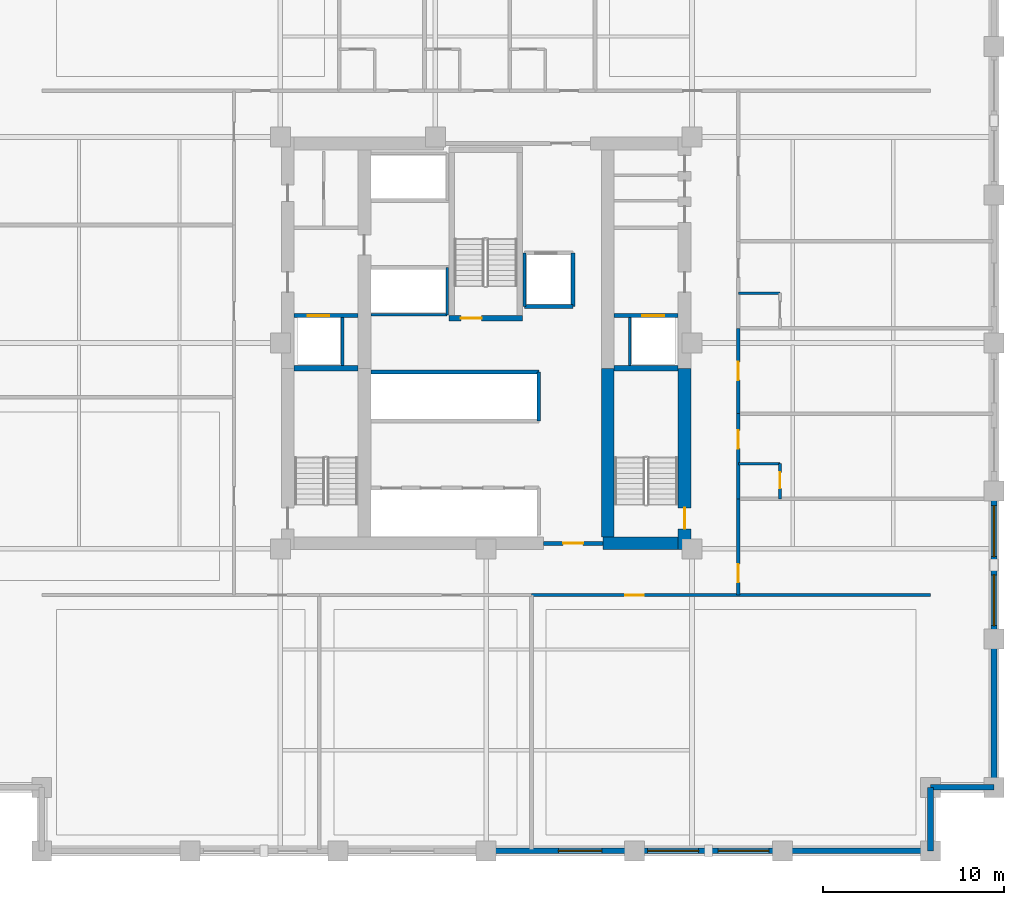
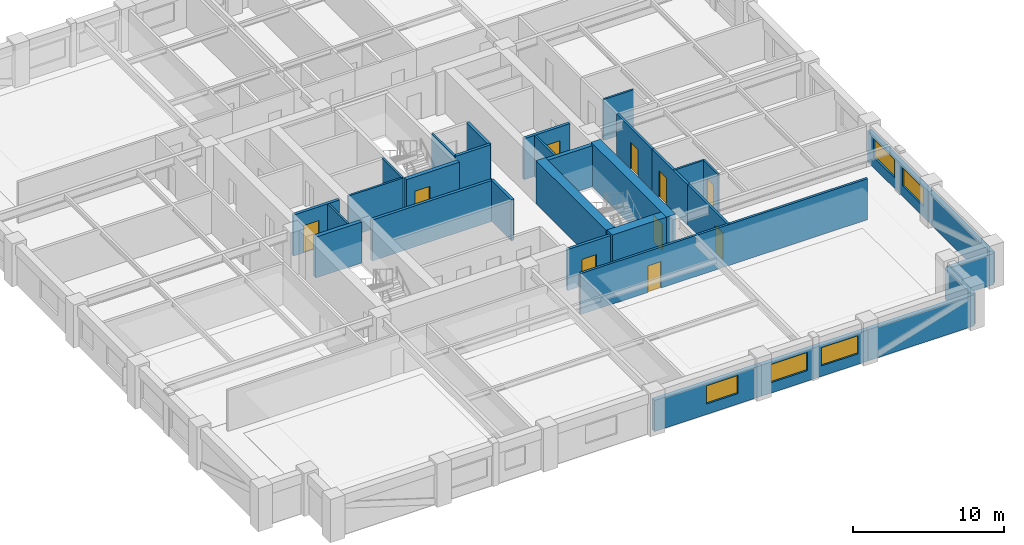
# One storey, part 4 of 12: 32 walls, 10 doors, 5 windows, 15 openings.
"""IFC4 building model written with IfcOpenShell, lengths in metres."""

from ifc_helpers import new_model, si_unit, direction, frame, frame_2d, origin, place, context, subcontext, project, spatial, rectangle, extrude, material, layer, layer_set, type_object, element, fill, save


model = new_model("IFC4")

# Units and contexts
model_context = context("Model", 3, precision=1e-05, world=origin(), true_north=direction((0.0, 1.0)))
body_context = subcontext(model_context, "Body", "Model", "MODEL_VIEW")
ifc_project = project(units=[si_unit("LENGTHUNIT", "METRE"), si_unit("AREAUNIT", "SQUARE_METRE"), si_unit("VOLUMEUNIT", "CUBIC_METRE"), si_unit("PLANEANGLEUNIT", "RADIAN"), si_unit("MASSUNIT", "GRAM", prefix="KILO")], contexts=[model_context])

# Site, building, storey
site_placement = place(None, origin())
site = spatial("IfcSite", under=ifc_project, at=site_placement, CompositionType="ELEMENT")
building_placement = place(site_placement, origin())
building = spatial("IfcBuilding", under=site, at=building_placement, Name="Nhamokura Convention Tower", CompositionType="ELEMENT")
storey_placement = place(building_placement, frame((0.0, 0.0, 49.35009765625)))
storey = spatial("IfcBuildingStorey", under=building, at=storey_placement, Name="L10", CompositionType="ELEMENT", Elevation=49.35009765625)

# Wall
ifc_material_1 = material(Name="Moisture-resistant tile-backer partition", Category="masonry")
ifc_layer_1 = layer(ifc_material_1, 0.139892578125)
ifc_layer_set_1 = layer_set([ifc_layer_1], Name="BathroomWetWall_140")
wall_type_1 = type_object("IfcWallType", Name="BathroomWetWall_140", PredefinedType="STANDARD", material=ifc_layer_set_1)
wall_1_placement = place(storey_placement, frame((45.89990234375, 25.35009765625, 0.0), z_axis=(0.0, 0.0, 1.0), x_axis=(1.0, 0.0, 0.0)))
element("IfcWall", 1, at=wall_1_placement, inside=storey, type_object=wall_type_1, Name="L10 Wall INT-L10-BW-E01N", PredefinedType="STANDARD", context=body_context, shape_type="SweptSolid", body=[
    extrude(rectangle(XDim=2.300048828125, YDim=0.139892578125, at=frame_2d((1.14990234375, 0.0))), origin(), (0.0, 0.0, 1.0), 3.31982421875),
])

# Wall, opening, door
wall_2_placement = place(storey_placement, frame((48.199951171875, 23.39990234375, 0.0), z_axis=(0.0, 0.0, 1.0), x_axis=(0.0, 1.0, 0.0)))
wall_2 = element("IfcWall", 2, at=wall_2_placement, inside=storey, type_object=wall_type_1, Name="L10 Wall INT-L10-BW-E01E", PredefinedType="STANDARD", context=body_context, shape_type="SweptSolid", body=[
    extrude(rectangle(XDim=1.9501953125, YDim=0.139892578125, at=frame_2d((0.97509765625, 0.0))), origin(), (0.0, 0.0, 1.0), 3.31982421875),
])
opening_1_placement = place(wall_2_placement, frame((0.580078125, 0.0, 0.0)))
opening_1 = element("IfcOpeningElement", 3, at=opening_1_placement, cuts=wall_2, Name="Opening D-11", PredefinedType="OPENING", context=body_context, shape_type="SweptSolid", body=[
    extrude(rectangle(XDim=0.8798828125, YDim=2.10009765625, at=frame_2d((0.43994140625, 1.050048828125))), frame((0.0, 0.079833984375, 0.0), z_axis=(0.0, -1.0, 0.0), x_axis=(1.0, 0.0, 0.0)), (0.0, 0.0, 1.0), 0.159912109375),
])
ifc_material_2 = material(Name="Solid oak hardwood", Category="wood")
door_type_1 = type_object("IfcDoorType", Name="BathroomDoor_880", OperationType="NOTDEFINED", PredefinedType="DOOR", material=ifc_material_2)
door_1_placement = place(opening_1_placement, origin())
door_1 = element("IfcDoor", 4, at=door_1_placement, inside=storey, type_object=door_type_1, Name="L10 Corner Suite En-suite Door", OperationType="SINGLE_SWING_LEFT", OverallHeight=2.10009765625, OverallWidth=0.8798828125, PredefinedType="DOOR", context=body_context, shape_type="SweptSolid", body=[
    extrude(rectangle(XDim=0.8798828125, YDim=2.10009765625, at=frame_2d((0.43994140625, 1.050048828125))), frame((0.0, 0.02490234375, 0.0), z_axis=(0.0, -1.0, 0.0), x_axis=(1.0, 0.0, 0.0)), (0.0, 0.0, 1.0), 0.050048828125),
])
fill(opening_1, door_1)

# Wall
wall_3_placement = place(storey_placement, frame((45.89990234375, 34.75, 0.0), z_axis=(0.0, 0.0, 1.0), x_axis=(1.0, 0.0, 0.0)))
element("IfcWall", 5, at=wall_3_placement, inside=storey, type_object=wall_type_1, Name="L10 Wall INT-L10-BW-E03N", PredefinedType="STANDARD", context=body_context, shape_type="SweptSolid", body=[
    extrude(rectangle(XDim=2.300048828125, YDim=0.139892578125, at=frame_2d((1.14990234375, 0.0))), origin(), (0.0, 0.0, 1.0), 3.31982421875),
])

# Wall, opening, window
ifc_material_3 = material(Name="Bronze-pigmented precast concrete C45/55", Category="concrete")
ifc_layer_2 = layer(ifc_material_3, 0.320068359375)
ifc_layer_set_2 = layer_set([ifc_layer_2], Name="BronzePrecastSpandrel_320")
wall_type_2 = type_object("IfcWallType", Name="BronzePrecastSpandrel_320", PredefinedType="USERDEFINED", material=ifc_layer_set_2)
wall_4_placement = place(storey_placement, frame((40.166748046875, 4.0, 0.0), z_axis=(0.0, 0.0, 1.0), x_axis=(-1.0, 0.0, 0.0)))
wall_4 = element("IfcWall", 6, at=wall_4_placement, inside=storey, type_object=wall_type_2, Name="L10 Masonry-Frame Wall SOUTH 3", ObjectType="SPANDREL_WALL", PredefinedType="USERDEFINED", context=body_context, shape_type="SweptSolid", body=[
    extrude(rectangle(XDim=8.166748046875, YDim=0.320068359375, at=frame_2d((4.08349609375, 0.0))), origin(), (0.0, 0.0, 1.0), 2.52001953125),
])
opening_2_placement = place(wall_4_placement, frame((1.783203125, 0.0, 0.85009765625)))
opening_2 = element("IfcOpeningElement", 7, at=opening_2_placement, cuts=wall_4, Name="Opening W-03", PredefinedType="OPENING", context=body_context, shape_type="SweptSolid", body=[
    extrude(rectangle(XDim=2.39990234375, YDim=1.469970703125, at=frame_2d((1.199951171875, 0.73486328125))), frame((0.0, 0.169921875, 0.0), z_axis=(0.0, -1.0, 0.0), x_axis=(1.0, 0.0, 0.0)), (0.0, 0.0, 1.0), 0.340087890625),
])
ifc_material_4 = material(Name="Solar-control bronze low-E double glass", Category="glass")
window_type_1 = type_object("IfcWindowType", Name="HotelBayWindow_2400", PartitioningType="DOUBLE_PANEL_VERTICAL", PredefinedType="WINDOW", material=ifc_material_4)
window_1_placement = place(opening_2_placement, origin())
window_1 = element("IfcWindow", 8, at=window_1_placement, inside=storey, type_object=window_type_1, Name="L10 Facade Window SOUTH 3-1", OverallHeight=1.469970703125, OverallWidth=2.39990234375, PartitioningType="SINGLE_PANEL", PredefinedType="WINDOW", context=body_context, shape_type="SweptSolid", body=[
    extrude(rectangle(XDim=2.39990234375, YDim=1.469970703125, at=frame_2d((1.199951171875, 0.73486328125))), frame((0.0, 0.030029296875, 0.0), z_axis=(0.0, -1.0, 0.0), x_axis=(1.0, 0.0, 0.0)), (0.0, 0.0, 1.0), 0.06005859375),
])
fill(opening_2, window_1)

# Wall, openings, windows
wall_5_placement = place(storey_placement, frame((48.333251953125, 4.0, 0.0), z_axis=(0.0, 0.0, 1.0), x_axis=(-1.0, 0.0, 0.0)))
wall_5 = element("IfcWall", 9, at=wall_5_placement, inside=storey, type_object=wall_type_2, Name="L10 Masonry-Frame Wall SOUTH 4", ObjectType="SPANDREL_WALL", PredefinedType="USERDEFINED", context=body_context, shape_type="SweptSolid", body=[
    extrude(rectangle(XDim=8.16650390625, YDim=0.320068359375, at=frame_2d((4.083251953125, 0.0))), origin(), (0.0, 0.0, 1.0), 2.52001953125),
])
opening_3_placement = place(wall_5_placement, frame((0.74169921875, 0.0, 0.85009765625)))
opening_3 = element("IfcOpeningElement", 10, at=opening_3_placement, cuts=wall_5, Name="Opening W-04", PredefinedType="OPENING", context=body_context, shape_type="SweptSolid", body=[
    extrude(rectangle(XDim=2.800048828125, YDim=1.469970703125, at=frame_2d((1.39990234375, 0.73486328125))), frame((0.0, 0.169921875, 0.0), z_axis=(0.0, -1.0, 0.0), x_axis=(1.0, 0.0, 0.0)), (0.0, 0.0, 1.0), 0.340087890625),
])
opening_4_placement = place(wall_5_placement, frame((4.625, 0.0, 0.85009765625)))
opening_4 = element("IfcOpeningElement", 11, at=opening_4_placement, cuts=wall_5, Name="Opening W-04", PredefinedType="OPENING", context=body_context, shape_type="SweptSolid", body=[
    extrude(rectangle(XDim=2.800048828125, YDim=1.469970703125, at=frame_2d((1.39990234375, 0.73486328125))), frame((0.0, 0.169921875, 0.0), z_axis=(0.0, -1.0, 0.0), x_axis=(1.0, 0.0, 0.0)), (0.0, 0.0, 1.0), 0.340087890625),
])
ifc_material_5 = material(Name="Solar-control bronze low-E double glass", Category="glass")
window_type_2 = type_object("IfcWindowType", Name="HotelSuiteWindow_2800", PartitioningType="DOUBLE_PANEL_VERTICAL", PredefinedType="WINDOW", material=ifc_material_5)
window_2_placement = place(opening_3_placement, origin())
window_2 = element("IfcWindow", 12, at=window_2_placement, inside=storey, type_object=window_type_2, Name="L10 Facade Window SOUTH 4-1", OverallHeight=1.469970703125, OverallWidth=2.800048828125, PartitioningType="SINGLE_PANEL", PredefinedType="WINDOW", context=body_context, shape_type="SweptSolid", body=[
    extrude(rectangle(XDim=2.800048828125, YDim=1.469970703125, at=frame_2d((1.39990234375, 0.73486328125))), frame((0.0, 0.030029296875, 0.0), z_axis=(0.0, -1.0, 0.0), x_axis=(1.0, 0.0, 0.0)), (0.0, 0.0, 1.0), 0.06005859375),
])
fill(opening_3, window_2)
window_3_placement = place(opening_4_placement, origin())
window_3 = element("IfcWindow", 13, at=window_3_placement, inside=storey, type_object=window_type_2, Name="L10 Facade Window SOUTH 4-2", OverallHeight=1.469970703125, OverallWidth=2.800048828125, PartitioningType="SINGLE_PANEL", PredefinedType="WINDOW", context=body_context, shape_type="SweptSolid", body=[
    extrude(rectangle(XDim=2.800048828125, YDim=1.469970703125, at=frame_2d((1.39990234375, 0.73486328125))), frame((0.0, 0.030029296875, 0.0), z_axis=(0.0, -1.0, 0.0), x_axis=(1.0, 0.0, 0.0)), (0.0, 0.0, 1.0), 0.06005859375),
])
fill(opening_4, window_3)

# Walls
for number, where, z_axis, x_axis, name in (
    (14, (56.5, 4.0, 0.0), (0.0, 0.0, 1.0), (-1.0, 0.0, 0.0), "L10 Braced-Bay Precast Wall SOUTH 5"),
    (15, (60.0, 15.666748046875, 0.0), (0.0, 0.0, 1.0), (0.0, -1.0, 0.0), "L10 Braced-Bay Precast Wall EAST 0"),
):
    element("IfcWall", number, at=place(storey_placement, frame(where, z_axis=z_axis, x_axis=x_axis)), inside=storey, type_object=wall_type_2, Name=name, ObjectType="SPANDREL_WALL", PredefinedType="USERDEFINED", context=body_context, shape_type="SweptSolid", body=[
        extrude(rectangle(XDim=8.166748046875, YDim=0.320068359375, at=frame_2d((4.08349609375, 0.0))), origin(), (0.0, 0.0, 1.0), 2.52001953125),
    ])

# Wall, openings, windows
wall_6_placement = place(storey_placement, frame((60.0, 23.833251953125, 0.0), z_axis=(0.0, 0.0, 1.0), x_axis=(0.0, -1.0, 0.0)))
wall_6 = element("IfcWall", 16, at=wall_6_placement, inside=storey, type_object=wall_type_2, Name="L10 Masonry-Frame Wall EAST 1", ObjectType="SPANDREL_WALL", PredefinedType="USERDEFINED", context=body_context, shape_type="SweptSolid", body=[
    extrude(rectangle(XDim=8.16650390625, YDim=0.320068359375, at=frame_2d((4.083251953125, 0.0))), origin(), (0.0, 0.0, 1.0), 2.52001953125),
])
opening_5_placement = place(wall_6_placement, frame((0.808349609375, 0.0, 0.85009765625)))
opening_5 = element("IfcOpeningElement", 17, at=opening_5_placement, cuts=wall_6, Name="Opening W-04", PredefinedType="OPENING", context=body_context, shape_type="SweptSolid", body=[
    extrude(rectangle(XDim=2.800048828125, YDim=1.469970703125, at=frame_2d((1.39990234375, 0.73486328125))), frame((0.0, 0.169921875, 0.0), z_axis=(0.0, -1.0, 0.0), x_axis=(1.0, 0.0, 0.0)), (0.0, 0.0, 1.0), 0.340087890625),
])
opening_6_placement = place(wall_6_placement, frame((4.625, 0.0, 0.85009765625)))
opening_6 = element("IfcOpeningElement", 18, at=opening_6_placement, cuts=wall_6, Name="Opening W-04", PredefinedType="OPENING", context=body_context, shape_type="SweptSolid", body=[
    extrude(rectangle(XDim=2.800048828125, YDim=1.469970703125, at=frame_2d((1.39990234375, 0.73486328125))), frame((0.0, 0.169921875, 0.0), z_axis=(0.0, -1.0, 0.0), x_axis=(1.0, 0.0, 0.0)), (0.0, 0.0, 1.0), 0.340087890625),
])
window_4_placement = place(opening_5_placement, origin())
window_4 = element("IfcWindow", 19, at=window_4_placement, inside=storey, type_object=window_type_2, Name="L10 Facade Window EAST 1-1", OverallHeight=1.469970703125, OverallWidth=2.800048828125, PartitioningType="SINGLE_PANEL", PredefinedType="WINDOW", context=body_context, shape_type="SweptSolid", body=[
    extrude(rectangle(XDim=2.800048828125, YDim=1.469970703125, at=frame_2d((1.39990234375, 0.73486328125))), frame((0.0, 0.030029296875, 0.0), z_axis=(0.0, -1.0, 0.0), x_axis=(1.0, 0.0, 0.0)), (0.0, 0.0, 1.0), 0.06005859375),
])
fill(opening_5, window_4)
window_5_placement = place(opening_6_placement, origin())
window_5 = element("IfcWindow", 20, at=window_5_placement, inside=storey, type_object=window_type_2, Name="L10 Facade Window EAST 1-2", OverallHeight=1.469970703125, OverallWidth=2.800048828125, PartitioningType="SINGLE_PANEL", PredefinedType="WINDOW", context=body_context, shape_type="SweptSolid", body=[
    extrude(rectangle(XDim=2.800048828125, YDim=1.469970703125, at=frame_2d((1.39990234375, 0.73486328125))), frame((0.0, 0.030029296875, 0.0), z_axis=(0.0, -1.0, 0.0), x_axis=(1.0, 0.0, 0.0)), (0.0, 0.0, 1.0), 0.06005859375),
])
fill(opening_6, window_5)

# Walls
for number, where, z_axis, x_axis, name in (
    (21, (56.5, 7.5, 0.0), (0.0, 0.0, 1.0), (0.0, -1.0, 0.0), "L10 Notched Corner Wall SE1"),
    (22, (60.0, 7.5, 0.0), (0.0, 0.0, 1.0), (-1.0, 0.0, 0.0), "L10 Notched Corner Wall SE2"),
):
    element("IfcWall", number, at=place(storey_placement, frame(where, z_axis=z_axis, x_axis=x_axis)), inside=storey, type_object=wall_type_2, Name=name, ObjectType="SPANDREL_WALL", PredefinedType="USERDEFINED", context=body_context, shape_type="SweptSolid", body=[
        extrude(rectangle(XDim=3.5, YDim=0.320068359375, at=frame_2d((1.75, 0.0))), origin(), (0.0, 0.0, 1.0), 2.52001953125),
    ])

# Wall, opening, door
ifc_material_6 = material(Name="Concrete C70/85", Category="concrete")
ifc_layer_3 = layer(ifc_material_6, 0.699951171875)
ifc_layer_set_3 = layer_set([ifc_layer_3], Name="CoreShearWall_700")
wall_type_3 = type_object("IfcWallType", Name="CoreShearWall_700", PredefinedType="SHEAR", material=ifc_layer_set_3)
wall_7_placement = place(storey_placement, frame((42.93994140625, 20.60009765625, 0.0), z_axis=(0.0, 0.0, 1.0), x_axis=(0.0, 1.0, 0.0)))
wall_7 = element("IfcWall", 23, at=wall_7_placement, inside=storey, type_object=wall_type_3, Name="L10 Core Shear Wall CW-ES", PredefinedType="SHEAR", context=body_context, shape_type="SweptSolid", body=[
    extrude(rectangle(XDim=10.0, YDim=0.699951171875, at=frame_2d((5.0, 0.0))), origin(), (0.0, 0.0, 1.0), 3.5),
])
opening_7_placement = place(wall_7_placement, frame((1.14990234375, 0.0, 0.0)))
opening_7 = element("IfcOpeningElement", 24, at=opening_7_placement, cuts=wall_7, Name="Opening D-04", PredefinedType="OPENING", context=body_context, shape_type="SweptSolid", body=[
    extrude(rectangle(XDim=1.14990234375, YDim=2.14990234375, at=frame_2d((0.574951171875, 1.074951171875))), frame((0.0, 0.35986328125, 0.0), z_axis=(0.0, -1.0, 0.0), x_axis=(1.0, 0.0, 0.0)), (0.0, 0.0, 1.0), 0.719970703125),
])
ifc_material_7 = material(Name="Fire-rated steel door", Category="steel")
door_type_2 = type_object("IfcDoorType", Name="StairSmokeDoor_1150", OperationType="NOTDEFINED", PredefinedType="DOOR", material=ifc_material_7)
door_2_placement = place(opening_7_placement, origin())
door_2 = element("IfcDoor", 25, at=door_2_placement, inside=storey, type_object=door_type_2, Name="L10 Core Door INT-L10-D-ST02", OperationType="SINGLE_SWING_RIGHT", OverallHeight=2.14990234375, OverallWidth=1.14990234375, PredefinedType="DOOR", context=body_context, shape_type="SweptSolid", body=[
    extrude(rectangle(XDim=1.14990234375, YDim=2.14990234375, at=frame_2d((0.574951171875, 1.074951171875))), frame((0.0, 0.02490234375, 0.0), z_axis=(0.0, -1.0, 0.0), x_axis=(1.0, 0.0, 0.0)), (0.0, 0.0, 1.0), 0.050048828125),
])
fill(opening_7, door_2)

# Walls
wall_8_placement = place(storey_placement, frame((38.449951171875, 20.949951171875, 0.0), z_axis=(0.0, 0.0, 1.0), x_axis=(1.0, 0.0, 0.0)))
element("IfcWall", 26, at=wall_8_placement, inside=storey, type_object=wall_type_3, Name="L10 Core Shear Wall CW-S2", PredefinedType="SHEAR", context=body_context, shape_type="SweptSolid", body=[
    extrude(rectangle(XDim=4.14013671875, YDim=0.699951171875, at=frame_2d((2.070068359375, 0.0))), origin(), (0.0, 0.0, 1.0), 3.5),
])
wall_9_placement = place(storey_placement, frame((38.7099609375, 21.300048828125, 0.0), z_axis=(0.0, 0.0, 1.0), x_axis=(0.0, 1.0, 0.0)))
element("IfcWall", 27, at=wall_9_placement, inside=storey, type_object=wall_type_3, Name="L10 Core Shear Wall CW-IES", PredefinedType="SHEAR", context=body_context, shape_type="SweptSolid", body=[
    extrude(rectangle(XDim=9.300048828125, YDim=0.699951171875, at=frame_2d((4.64990234375, 0.0))), origin(), (0.0, 0.0, 1.0), 3.5),
])

# Wall, opening, door
ifc_material_8 = material(Name="Fire-rated gypsum and masonry partition", Category="masonry")
ifc_layer_4 = layer(ifc_material_8, 0.179931640625)
ifc_layer_set_4 = layer_set([ifc_layer_4], Name="CorridorRatedWall_180")
wall_type_4 = type_object("IfcWallType", Name="CorridorRatedWall_180", PredefinedType="STANDARD", material=ifc_layer_set_4)
wall_10_placement = place(storey_placement, frame((34.5, 18.10009765625, 0.0), z_axis=(0.0, 0.0, 1.0), x_axis=(1.0, 0.0, 0.0)))
wall_10 = element("IfcWall", 28, at=wall_10_placement, inside=storey, type_object=wall_type_4, Name="L10 Wall INT-L10-CW-S02", PredefinedType="STANDARD", context=body_context, shape_type="SweptSolid", body=[
    extrude(rectangle(XDim=22.0, YDim=0.179931640625, at=frame_2d((11.0, 0.0))), origin(), (0.0, 0.0, 1.0), 3.31982421875),
])
opening_8_placement = place(wall_10_placement, frame((5.175048828125, 0.0, 0.0)))
opening_8 = element("IfcOpeningElement", 29, at=opening_8_placement, cuts=wall_10, Name="Opening D-07", PredefinedType="OPENING", context=body_context, shape_type="SweptSolid", body=[
    extrude(rectangle(XDim=1.0, YDim=2.14990234375, at=frame_2d((0.5, 1.074951171875))), frame((0.0, 0.099853515625, 0.0), z_axis=(0.0, -1.0, 0.0), x_axis=(1.0, 0.0, 0.0)), (0.0, 0.0, 1.0), 0.199951171875),
])
ifc_material_9 = material(Name="Solid oak hardwood", Category="wood")
door_type_3 = type_object("IfcDoorType", Name="HotelSuiteEntryDoor_1000", OperationType="NOTDEFINED", PredefinedType="DOOR", material=ifc_material_9)
door_3_placement = place(opening_8_placement, origin())
door_3 = element("IfcDoor", 30, at=door_3_placement, inside=storey, type_object=door_type_3, Name="L10 Conference Salon S03 Door", OperationType="SINGLE_SWING_LEFT", OverallHeight=2.14990234375, OverallWidth=1.0, PredefinedType="DOOR", context=body_context, shape_type="SweptSolid", body=[
    extrude(rectangle(XDim=1.0, YDim=2.14990234375, at=frame_2d((0.5, 1.074951171875))), frame((0.0, 0.02490234375, 0.0), z_axis=(0.0, -1.0, 0.0), x_axis=(1.0, 0.0, 0.0)), (0.0, 0.0, 1.0), 0.050048828125),
])
fill(opening_8, door_3)

wall_11_placement = place(storey_placement, frame((45.89990234375, 18.10009765625, 0.0), z_axis=(0.0, 0.0, 1.0), x_axis=(0.0, 1.0, 0.0)))
wall_11 = element("IfcWall", 31, at=wall_11_placement, inside=storey, type_object=wall_type_4, Name="L10 Wall INT-L10-CW-E00", PredefinedType="STANDARD", context=body_context, shape_type="SweptSolid", body=[
    extrude(rectangle(XDim=5.2998046875, YDim=0.179931640625, at=frame_2d((2.64990234375, 0.0))), origin(), (0.0, 0.0, 1.0), 3.31982421875),
])
opening_9_placement = place(wall_11_placement, frame((0.699951171875, 0.0, 0.0)))
opening_9 = element("IfcOpeningElement", 32, at=opening_9_placement, cuts=wall_11, Name="Opening D-07", PredefinedType="OPENING", context=body_context, shape_type="SweptSolid", body=[
    extrude(rectangle(XDim=1.0, YDim=2.14990234375, at=frame_2d((0.5, 1.074951171875))), frame((0.0, 0.099853515625, 0.0), z_axis=(0.0, -1.0, 0.0), x_axis=(1.0, 0.0, 0.0)), (0.0, 0.0, 1.0), 0.199951171875),
])
door_4_placement = place(opening_9_placement, origin())
door_4 = element("IfcDoor", 33, at=door_4_placement, inside=storey, type_object=door_type_3, Name="L10 Conference Salon E01 Door", OperationType="SINGLE_SWING_LEFT", OverallHeight=2.14990234375, OverallWidth=1.0, PredefinedType="DOOR", context=body_context, shape_type="SweptSolid", body=[
    extrude(rectangle(XDim=1.0, YDim=2.14990234375, at=frame_2d((0.5, 1.074951171875))), frame((0.0, 0.02490234375, 0.0), z_axis=(0.0, -1.0, 0.0), x_axis=(1.0, 0.0, 0.0)), (0.0, 0.0, 1.0), 0.050048828125),
])
fill(opening_9, door_4)

wall_12_placement = place(storey_placement, frame((45.89990234375, 23.39990234375, 0.0), z_axis=(0.0, 0.0, 1.0), x_axis=(0.0, 1.0, 0.0)))
wall_12 = element("IfcWall", 34, at=wall_12_placement, inside=storey, type_object=wall_type_4, Name="L10 Wall INT-L10-CW-E01", PredefinedType="STANDARD", context=body_context, shape_type="SweptSolid", body=[
    extrude(rectangle(XDim=4.7001953125, YDim=0.179931640625, at=frame_2d((2.35009765625, 0.0))), origin(), (0.0, 0.0, 1.0), 3.31982421875),
])
opening_10_placement = place(wall_12_placement, frame((2.77490234375, 0.0, 0.0)))
opening_10 = element("IfcOpeningElement", 35, at=opening_10_placement, cuts=wall_12, Name="Opening D-07", PredefinedType="OPENING", context=body_context, shape_type="SweptSolid", body=[
    extrude(rectangle(XDim=1.0, YDim=2.14990234375, at=frame_2d((0.5, 1.074951171875))), frame((0.0, 0.099853515625, 0.0), z_axis=(0.0, -1.0, 0.0), x_axis=(1.0, 0.0, 0.0)), (0.0, 0.0, 1.0), 0.199951171875),
])
door_5_placement = place(opening_10_placement, origin())
door_5 = element("IfcDoor", 36, at=door_5_placement, inside=storey, type_object=door_type_3, Name="L10 Corner Suite E02 Door", OperationType="SINGLE_SWING_RIGHT", OverallHeight=2.14990234375, OverallWidth=1.0, PredefinedType="DOOR", context=body_context, shape_type="SweptSolid", body=[
    extrude(rectangle(XDim=1.0, YDim=2.14990234375, at=frame_2d((0.5, 1.074951171875))), frame((0.0, 0.02490234375, 0.0), z_axis=(0.0, -1.0, 0.0), x_axis=(1.0, 0.0, 0.0)), (0.0, 0.0, 1.0), 0.050048828125),
])
fill(opening_10, door_5)

wall_13_placement = place(storey_placement, frame((45.89990234375, 28.10009765625, 0.0), z_axis=(0.0, 0.0, 1.0), x_axis=(0.0, 1.0, 0.0)))
wall_13 = element("IfcWall", 37, at=wall_13_placement, inside=storey, type_object=wall_type_4, Name="L10 Wall INT-L10-CW-E02", PredefinedType="STANDARD", context=body_context, shape_type="SweptSolid", body=[
    extrude(rectangle(XDim=4.699951171875, YDim=0.179931640625, at=frame_2d((2.35009765625, 0.0))), origin(), (0.0, 0.0, 1.0), 3.31982421875),
])
opening_11_placement = place(wall_13_placement, frame((1.85009765625, 0.0, 0.0)))
opening_11 = element("IfcOpeningElement", 38, at=opening_11_placement, cuts=wall_13, Name="Opening D-07", PredefinedType="OPENING", context=body_context, shape_type="SweptSolid", body=[
    extrude(rectangle(XDim=1.0, YDim=2.14990234375, at=frame_2d((0.5, 1.074951171875))), frame((0.0, 0.099853515625, 0.0), z_axis=(0.0, -1.0, 0.0), x_axis=(1.0, 0.0, 0.0)), (0.0, 0.0, 1.0), 0.199951171875),
])
door_6_placement = place(opening_11_placement, origin())
door_6 = element("IfcDoor", 39, at=door_6_placement, inside=storey, type_object=door_type_3, Name="L10 Housekeeping Store E03 Door", OperationType="SINGLE_SWING_LEFT", OverallHeight=2.14990234375, OverallWidth=1.0, PredefinedType="DOOR", context=body_context, shape_type="SweptSolid", body=[
    extrude(rectangle(XDim=1.0, YDim=2.14990234375, at=frame_2d((0.5, 1.074951171875))), frame((0.0, 0.02490234375, 0.0), z_axis=(0.0, -1.0, 0.0), x_axis=(1.0, 0.0, 0.0)), (0.0, 0.0, 1.0), 0.050048828125),
])
fill(opening_11, door_6)

ifc_material_10 = material(Name="Autoclaved concrete blockwork", Category="masonry")
ifc_layer_5 = layer(ifc_material_10, 0.219970703125)
ifc_layer_set_5 = layer_set([ifc_layer_5], Name="FireLobbyWall_220")
wall_type_5 = type_object("IfcWallType", Name="FireLobbyWall_220", PredefinedType="STANDARD", material=ifc_layer_set_5)
wall_14_placement = place(storey_placement, frame((21.409912109375, 33.5, 0.0), z_axis=(0.0, 0.0, 1.0), x_axis=(1.0, 0.0, 0.0)))
wall_14 = element("IfcWall", 40, at=wall_14_placement, inside=storey, type_object=wall_type_5, Name="L10 Wall INT-L10-FFW-S", PredefinedType="STANDARD", context=body_context, shape_type="SweptSolid", body=[
    extrude(rectangle(XDim=3.530029296875, YDim=0.219970703125, at=frame_2d((1.76513671875, 0.0))), origin(), (0.0, 0.0, 1.0), 3.31982421875),
])
opening_12_placement = place(wall_14_placement, frame((0.75, 0.0, 0.0)))
opening_12 = element("IfcOpeningElement", 41, at=opening_12_placement, cuts=wall_14, Name="Opening LD-02", PredefinedType="OPENING", context=body_context, shape_type="SweptSolid", body=[
    extrude(rectangle(XDim=1.199951171875, YDim=2.199951171875, at=frame_2d((0.60009765625, 1.10009765625))), frame((0.0, 0.119873046875, 0.0), z_axis=(0.0, -1.0, 0.0), x_axis=(1.0, 0.0, 0.0)), (0.0, 0.0, 1.0), 0.239990234375),
])
ifc_material_11 = material(Name="Anodised bronze stainless steel", Category="steel")
door_type_4 = type_object("IfcDoorType", Name="LiftLandingDoor_FireService", OperationType="DOUBLE_DOOR_SLIDING", PredefinedType="DOOR", material=ifc_material_11)
door_7_placement = place(opening_12_placement, origin())
door_7 = element("IfcDoor", 42, at=door_7_placement, inside=storey, type_object=door_type_4, Name="L10 Firefighting Lift LF-01 Door", OperationType="DOUBLE_DOOR_SLIDING", OverallHeight=2.199951171875, OverallWidth=1.199951171875, PredefinedType="DOOR", context=body_context, shape_type="SweptSolid", body=[
    extrude(rectangle(XDim=1.199951171875, YDim=2.199951171875, at=frame_2d((0.60009765625, 1.10009765625))), frame((0.0, 0.02490234375, 0.0), z_axis=(0.0, -1.0, 0.0), x_axis=(1.0, 0.0, 0.0)), (0.0, 0.0, 1.0), 0.050048828125),
])
fill(opening_12, door_7)

wall_15_placement = place(storey_placement, frame((39.06005859375, 33.5, 0.0), z_axis=(0.0, 0.0, 1.0), x_axis=(1.0, 0.0, 0.0)))
wall_15 = element("IfcWall", 43, at=wall_15_placement, inside=storey, type_object=wall_type_5, Name="L10 Wall INT-L10-FFE-S", PredefinedType="STANDARD", context=body_context, shape_type="SweptSolid", body=[
    extrude(rectangle(XDim=3.530029296875, YDim=0.219970703125, at=frame_2d((1.76513671875, 0.0))), origin(), (0.0, 0.0, 1.0), 3.31982421875),
])
opening_13_placement = place(wall_15_placement, frame((1.550048828125, 0.0, 0.0)))
opening_13 = element("IfcOpeningElement", 44, at=opening_13_placement, cuts=wall_15, Name="Opening LD-02", PredefinedType="OPENING", context=body_context, shape_type="SweptSolid", body=[
    extrude(rectangle(XDim=1.199951171875, YDim=2.199951171875, at=frame_2d((0.60009765625, 1.10009765625))), frame((0.0, 0.119873046875, 0.0), z_axis=(0.0, -1.0, 0.0), x_axis=(1.0, 0.0, 0.0)), (0.0, 0.0, 1.0), 0.239990234375),
])
door_8_placement = place(opening_13_placement, origin())
door_8 = element("IfcDoor", 45, at=door_8_placement, inside=storey, type_object=door_type_4, Name="L10 Firefighting Lift LF-02 Door", OperationType="DOUBLE_DOOR_SLIDING", OverallHeight=2.199951171875, OverallWidth=1.199951171875, PredefinedType="DOOR", context=body_context, shape_type="SweptSolid", body=[
    extrude(rectangle(XDim=1.199951171875, YDim=2.199951171875, at=frame_2d((0.60009765625, 1.10009765625))), frame((0.0, 0.02490234375, 0.0), z_axis=(0.0, -1.0, 0.0), x_axis=(1.0, 0.0, 0.0)), (0.0, 0.0, 1.0), 0.050048828125),
])
fill(opening_13, door_8)

wall_16_placement = place(storey_placement, frame((35.14990234375, 20.949951171875, 0.0), z_axis=(0.0, 0.0, 1.0), x_axis=(1.0, 0.0, 0.0)))
wall_16 = element("IfcWall", 46, at=wall_16_placement, inside=storey, type_object=wall_type_5, Name="L10 Wall INT-L10-SPORT-S", PredefinedType="STANDARD", context=body_context, shape_type="SweptSolid", body=[
    extrude(rectangle(XDim=3.300048828125, YDim=0.219970703125, at=frame_2d((1.64990234375, 0.0))), origin(), (0.0, 0.0, 1.0), 3.31982421875),
])
opening_14_placement = place(wall_16_placement, frame((1.10009765625, 0.0, 0.0)))
opening_14 = element("IfcOpeningElement", 47, at=opening_14_placement, cuts=wall_16, Name="Opening D-05", PredefinedType="OPENING", context=body_context, shape_type="SweptSolid", body=[
    extrude(rectangle(XDim=1.10009765625, YDim=2.14990234375, at=frame_2d((0.550048828125, 1.074951171875))), frame((0.0, 0.119873046875, 0.0), z_axis=(0.0, -1.0, 0.0), x_axis=(1.0, 0.0, 0.0)), (0.0, 0.0, 1.0), 0.239990234375),
])
ifc_material_12 = material(Name="Fire-rated steel door", Category="steel")
door_type_5 = type_object("IfcDoorType", Name="FireLobbyDoor_1100", OperationType="NOTDEFINED", PredefinedType="DOOR", material=ifc_material_12)
door_9_placement = place(opening_14_placement, origin())
door_9 = element("IfcDoor", 48, at=door_9_placement, inside=storey, type_object=door_type_5, Name="L10 South Core Lobby Portal Door", OperationType="SINGLE_SWING_LEFT", OverallHeight=2.14990234375, OverallWidth=1.10009765625, PredefinedType="DOOR", context=body_context, shape_type="SweptSolid", body=[
    extrude(rectangle(XDim=1.10009765625, YDim=2.14990234375, at=frame_2d((0.550048828125, 1.074951171875))), frame((0.0, 0.02490234375, 0.0), z_axis=(0.0, -1.0, 0.0), x_axis=(1.0, 0.0, 0.0)), (0.0, 0.0, 1.0), 0.050048828125),
])
fill(opening_14, door_9)

# Walls
wall_17_placement = place(storey_placement, frame((25.64990234375, 30.39990234375, 0.0), z_axis=(0.0, 0.0, 1.0), x_axis=(1.0, 0.0, 0.0)))
element("IfcWall", 49, at=wall_17_placement, inside=storey, type_object=wall_type_5, Name="L10 Wall INT-L10-B2N", PredefinedType="STANDARD", context=body_context, shape_type="SweptSolid", body=[
    extrude(rectangle(XDim=9.25, YDim=0.219970703125, at=frame_2d((4.625, 0.0))), origin(), (0.0, 0.0, 1.0), 3.31982421875),
])
wall_18_placement = place(storey_placement, frame((34.89990234375, 27.699951171875, 0.0), z_axis=(0.0, 0.0, 1.0), x_axis=(0.0, 1.0, 0.0)))
element("IfcWall", 50, at=wall_18_placement, inside=storey, type_object=wall_type_5, Name="L10 Wall INT-L10-B2E", PredefinedType="STANDARD", context=body_context, shape_type="SweptSolid", body=[
    extrude(rectangle(XDim=2.699951171875, YDim=0.219970703125, at=frame_2d((1.35009765625, 0.0))), origin(), (0.0, 0.0, 1.0), 3.31982421875),
])
wall_19_placement = place(storey_placement, frame((36.800048828125, 34.02001953125, 0.0), z_axis=(0.0, 0.0, 1.0), x_axis=(0.0, 1.0, 0.0)))
element("IfcWall", 51, at=wall_19_placement, inside=storey, type_object=wall_type_5, Name="L10 Wall INT-L10-LSE", PredefinedType="STANDARD", context=body_context, shape_type="SweptSolid", body=[
    extrude(rectangle(XDim=2.929931640625, YDim=0.219970703125, at=frame_2d((1.46484375, 0.0))), origin(), (0.0, 0.0, 1.0), 3.31982421875),
])
wall_20_placement = place(storey_placement, frame((34.1201171875, 34.02001953125, 0.0), z_axis=(0.0, 0.0, 1.0), x_axis=(1.0, 0.0, 0.0)))
element("IfcWall", 52, at=wall_20_placement, inside=storey, type_object=wall_type_5, Name="L10 Wall INT-L10-LSS", PredefinedType="STANDARD", context=body_context, shape_type="SweptSolid", body=[
    extrude(rectangle(XDim=2.679931640625, YDim=0.219970703125, at=frame_2d((1.33984375, 0.0))), origin(), (0.0, 0.0, 1.0), 3.31982421875),
])
ifc_material_13 = material(Name="Acoustic gypsum stud partition", Category="masonry")
ifc_layer_6 = layer(ifc_material_13, 0.14990234375)
ifc_layer_set_6 = layer_set([ifc_layer_6], Name="InteriorPartition_150")
wall_type_6 = type_object("IfcWallType", Name="InteriorPartition_150", PredefinedType="STANDARD", material=ifc_layer_set_6)
for number, where, z_axis, x_axis, name in (
    (53, (24.080078125, 30.75, 0.0), (0.0, 0.0, 1.0), (0.0, 1.0, 0.0), "L10 Wall INT-L10-FF1-E"),
    (54, (39.919921875, 30.75, 0.0), (0.0, 0.0, 1.0), (0.0, 1.0, 0.0), "L10 Wall INT-L10-FF2-W"),
):
    element("IfcWall", number, at=place(storey_placement, frame(where, z_axis=z_axis, x_axis=x_axis)), inside=storey, type_object=wall_type_6, Name=name, PredefinedType="STANDARD", context=body_context, shape_type="SweptSolid", body=[
        extrude(rectangle(XDim=2.64990234375, YDim=0.14990234375, at=frame_2d((1.324951171875, 0.0))), origin(), (0.0, 0.0, 1.0), 3.31982421875),
    ])
wall_21_placement = place(storey_placement, frame((25.64990234375, 33.550048828125, 0.0), z_axis=(0.0, 0.0, 1.0), x_axis=(1.0, 0.0, 0.0)))
element("IfcWall", 55, at=wall_21_placement, inside=storey, type_object=wall_type_6, Name="L10 Wall INT-L10-B3A-S", PredefinedType="STANDARD", context=body_context, shape_type="SweptSolid", body=[
    extrude(rectangle(XDim=4.2001953125, YDim=0.14990234375, at=frame_2d((2.10009765625, 0.0))), origin(), (0.0, 0.0, 1.0), 3.31982421875),
])
wall_22_placement = place(storey_placement, frame((29.85009765625, 33.550048828125, 0.0), z_axis=(0.0, 0.0, 1.0), x_axis=(0.0, 1.0, 0.0)))
element("IfcWall", 56, at=wall_22_placement, inside=storey, type_object=wall_type_6, Name="L10 Wall INT-L10-B3A-E", PredefinedType="STANDARD", context=body_context, shape_type="SweptSolid", body=[
    extrude(rectangle(XDim=2.599853515625, YDim=0.14990234375, at=frame_2d((1.2998046875, 0.0))), origin(), (0.0, 0.0, 1.0), 3.31982421875),
])
wall_23_placement = place(storey_placement, frame((34.1201171875, 34.02001953125, 0.0), z_axis=(0.0, 0.0, 1.0), x_axis=(0.0, 1.0, 0.0)))
element("IfcWall", 57, at=wall_23_placement, inside=storey, type_object=wall_type_6, Name="L10 Wall INT-L10-LSW", PredefinedType="STANDARD", context=body_context, shape_type="SweptSolid", body=[
    extrude(rectangle(XDim=2.929931640625, YDim=0.14990234375, at=frame_2d((1.46484375, 0.0))), origin(), (0.0, 0.0, 1.0), 3.31982421875),
])
ifc_material_14 = material(Name="Concrete C50/60", Category="concrete")
ifc_layer_7 = layer(ifc_material_14, 0.300048828125)
ifc_layer_set_7 = layer_set([ifc_layer_7], Name="ShaftEnclosureWall_300")
wall_type_7 = type_object("IfcWallType", Name="ShaftEnclosureWall_300", PredefinedType="SHEAR", material=ifc_layer_set_7)
for number, where, z_axis, x_axis, name in (
    (58, (21.409912109375, 30.60009765625, 0.0), (0.0, 0.0, 1.0), (1.0, 0.0, 0.0), "L10 Wall INT-L10-ST01-N"),
    (59, (39.06005859375, 30.60009765625, 0.0), (0.0, 0.0, 1.0), (1.0, 0.0, 0.0), "L10 Wall INT-L10-ST02-N"),
):
    element("IfcWall", number, at=place(storey_placement, frame(where, z_axis=z_axis, x_axis=x_axis)), inside=storey, type_object=wall_type_7, Name=name, PredefinedType="SHEAR", context=body_context, shape_type="SweptSolid", body=[
        extrude(rectangle(XDim=3.530029296875, YDim=0.300048828125, at=frame_2d((1.76513671875, 0.0))), origin(), (0.0, 0.0, 1.0), 3.31982421875),
    ])

# Wall, opening, door
wall_24_placement = place(storey_placement, frame((29.949951171875, 33.35009765625, 0.0), z_axis=(0.0, 0.0, 1.0), x_axis=(1.0, 0.0, 0.0)))
wall_24 = element("IfcWall", 60, at=wall_24_placement, inside=storey, type_object=wall_type_7, Name="L10 Wall INT-L10-ST03S", PredefinedType="SHEAR", context=body_context, shape_type="SweptSolid", body=[
    extrude(rectangle(XDim=4.050048828125, YDim=0.300048828125, at=frame_2d((2.02490234375, 0.0))), origin(), (0.0, 0.0, 1.0), 3.31982421875),
])
opening_15_placement = place(wall_24_placement, frame((0.64990234375, 0.0, 0.0)))
opening_15 = element("IfcOpeningElement", 61, at=opening_15_placement, cuts=wall_24, Name="Opening D-04", PredefinedType="OPENING", context=body_context, shape_type="SweptSolid", body=[
    extrude(rectangle(XDim=1.14990234375, YDim=2.14990234375, at=frame_2d((0.574951171875, 1.074951171875))), frame((0.0, 0.159912109375, 0.0), z_axis=(0.0, -1.0, 0.0), x_axis=(1.0, 0.0, 0.0)), (0.0, 0.0, 1.0), 0.320068359375),
])
door_10_placement = place(opening_15_placement, origin())
door_10 = element("IfcDoor", 62, at=door_10_placement, inside=storey, type_object=door_type_2, Name="L10 Stair ST-03 Smoke Door", OperationType="SINGLE_SWING_LEFT", OverallHeight=2.14990234375, OverallWidth=1.14990234375, PredefinedType="DOOR", context=body_context, shape_type="SweptSolid", body=[
    extrude(rectangle(XDim=1.14990234375, YDim=2.14990234375, at=frame_2d((0.574951171875, 1.074951171875))), frame((0.0, 0.02490234375, 0.0), z_axis=(0.0, -1.0, 0.0), x_axis=(1.0, 0.0, 0.0)), (0.0, 0.0, 1.0), 0.050048828125),
])
fill(opening_15, door_10)

save(model, "model.ifc")
